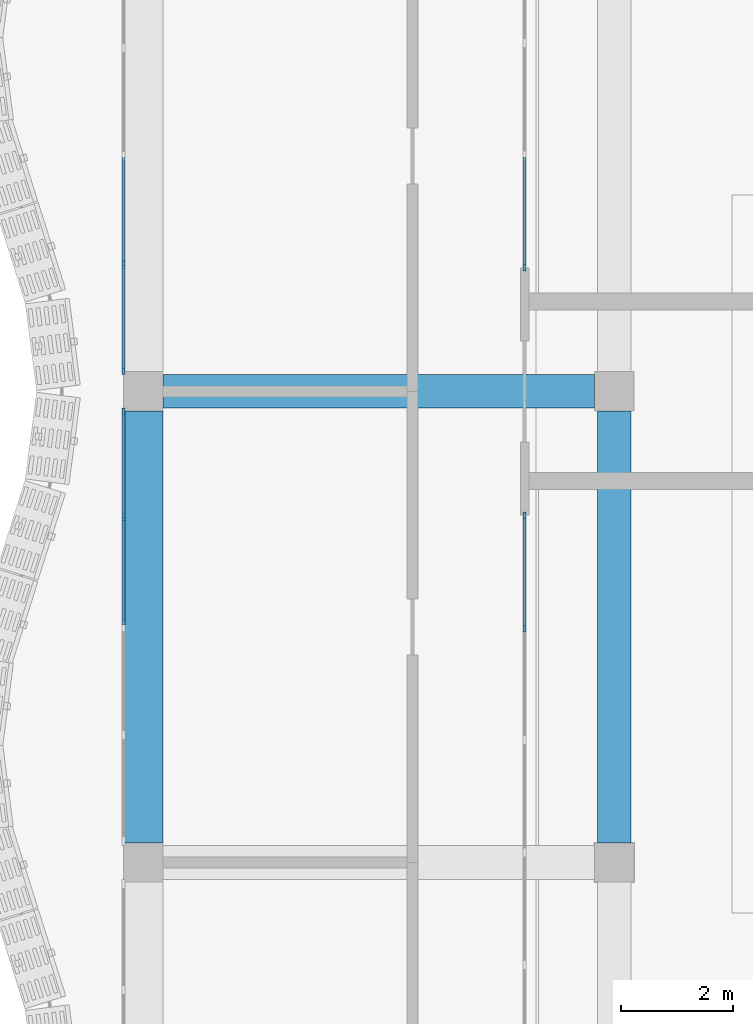
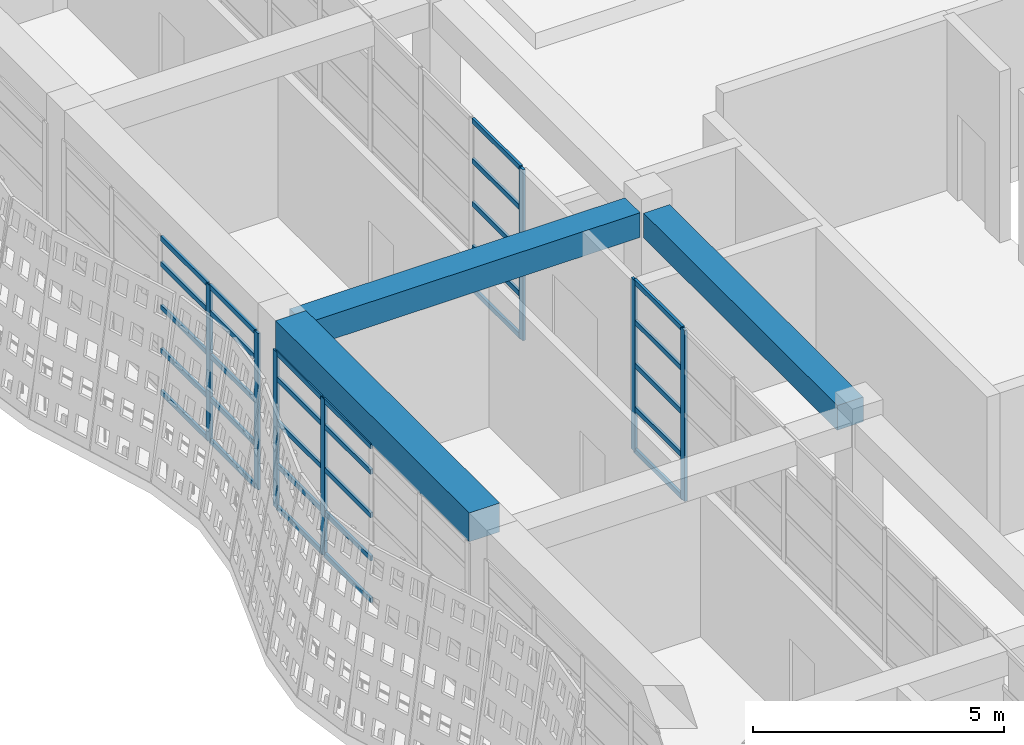
# One storey, part 5 of 85: 37 members, 3 beams, 4 elements without a shape of their own.
"""IFC4 building model written with IfcOpenShell, lengths in metres."""

from ifc_helpers import new_model, si_unit, direction, frame, origin, origin_2d, place, context, subcontext, project, spatial, rectangle, extrude, material, material_profile, profile_set, type_object, element, aggregate, save


model = new_model("IFC4")

# Units and contexts
model_context = context("Model", 3, precision=1e-05, world=origin(), true_north=direction((0.0, 1.0)))
body_context = subcontext(model_context, "Body", "Model", "MODEL_VIEW")
ifc_project = project(units=[si_unit("LENGTHUNIT", "METRE"), si_unit("AREAUNIT", "SQUARE_METRE"), si_unit("VOLUMEUNIT", "CUBIC_METRE"), si_unit("PLANEANGLEUNIT", "RADIAN"), si_unit("MASSUNIT", "GRAM", prefix="KILO")], contexts=[model_context])

# Site, building, storey
site_placement = place(None, origin())
site = spatial("IfcSite", under=ifc_project, at=site_placement, CompositionType="ELEMENT")
building_placement = place(site_placement, origin())
building = spatial("IfcBuilding", under=site, at=building_placement, Name="Rain Tree Exposition and Congress Centre", CompositionType="ELEMENT")
storey_placement = place(building_placement, frame((0.0, 0.0, 15.0)))
storey = spatial("IfcBuildingStorey", under=building, at=storey_placement, Name="L03", CompositionType="ELEMENT", Elevation=15.0)

# Beams
ifc_material_1 = material(Name="Precast concrete C50/60", Category="concrete")
ifc_material_profile_1 = material_profile(ifc_material_1, rectangle(XDim=0.60009765625, YDim=0.60009765625, at=origin_2d()), Name="RC 600x600")
ifc_profile_set_1 = profile_set([ifc_material_profile_1], Name="Precast concrete C50/60")
beam_type_1 = type_object("IfcBeamType", Name="Precast beam 600x600", PredefinedType="BEAM", material=ifc_profile_set_1)
beam_1_placement = place(storey_placement, frame((8.39990234375, 17.14990234375, 3.85009765625), z_axis=(0.0, 1.0, 0.0), x_axis=(-1.0, 0.0, 0.0)))
element("IfcBeam", 1, at=beam_1_placement, inside=storey, type_object=beam_type_1, Name="wing/beam/L03/RF/018", PredefinedType="BEAM", context=body_context, shape_type="SweptSolid", body=[
    extrude(rectangle(XDim=0.60009765625, YDim=0.60009765625, at=origin_2d()), origin(), (0.0, 0.0, 1.0), 7.7001953125),
])
beam_2_placement = place(storey_placement, frame((0.35009765625, 25.199951171875, 3.85009765625), z_axis=(1.0, 0.0, 0.0), x_axis=(0.0, 1.0, 0.0)))
element("IfcBeam", 2, at=beam_2_placement, inside=storey, type_object=beam_type_1, Name="wing/beam/L03/RF/033", PredefinedType="BEAM", context=body_context, shape_type="SweptSolid", body=[
    extrude(rectangle(XDim=0.60009765625, YDim=0.60009765625, at=origin_2d()), origin(), (0.0, 0.0, 1.0), 7.699951171875),
])
ifc_material_2 = material(Name="Precast concrete C50/60", Category="concrete")
ifc_material_profile_2 = material_profile(ifc_material_2, rectangle(XDim=0.699951171875, YDim=0.699951171875, at=origin_2d()), Name="RC 700x700")
ifc_profile_set_2 = profile_set([ifc_material_profile_2], Name="Precast concrete C50/60")
beam_type_2 = type_object("IfcBeamType", Name="Precast spandrel beam 700x700", PredefinedType="SPANDREL", material=ifc_profile_set_2)
beam_3_placement = place(storey_placement, frame((0.0, 17.14990234375, 4.14990234375), z_axis=(0.0, 1.0, 0.0), x_axis=(-1.0, 0.0, 0.0)))
element("IfcBeam", 3, at=beam_3_placement, inside=storey, type_object=beam_type_2, Name="wing/beam/L03/RF/006", PredefinedType="SPANDREL", context=body_context, shape_type="SweptSolid", body=[
    extrude(rectangle(XDim=0.699951171875, YDim=0.699951171875, at=origin_2d()), origin(), (0.0, 0.0, 1.0), 7.7001953125),
])

# Curtain wall, members
ifc_material_3 = material(Name="Aluminium curtain wall", Category="aluminium")
curtain_wall_type = type_object("IfcCurtainWallType", Name="Wing curtain wall 1925", PredefinedType="NOTDEFINED", material=ifc_material_3)
curtain_wall_1_placement = place(storey_placement, origin())
curtain_wall_1 = element("IfcCurtainWall", 4, at=curtain_wall_1_placement, inside=storey, type_object=curtain_wall_type, Name="Curtain wall CWW409", PredefinedType="NOTDEFINED")
ifc_material_4 = material(Name="Aluminium", Category="aluminium")
ifc_material_profile_3 = material_profile(ifc_material_4, rectangle(XDim=0.06005859375, YDim=0.159912109375, at=origin_2d()), Name="Aluminium 60x160")
ifc_profile_set_3 = profile_set([ifc_material_profile_3], Name="Aluminium")
member_type_1 = type_object("IfcMemberType", Name="Wing mullion 60x160", PredefinedType="MULLION", material=ifc_profile_set_3)
member_1_placement = place(storey_placement, frame((-0.35009765625, 22.925048828125, 0.0), z_axis=(0.0, 0.0, 1.0), x_axis=(-1.0, 0.0, 0.0)))
member_1 = element("IfcMember", 5, at=member_1_placement, type_object=member_type_1, Name="CWW409 mullion 4", PredefinedType="MULLION", context=body_context, shape_type="SweptSolid", body=[
    extrude(rectangle(XDim=0.06005859375, YDim=0.159912109375, at=origin_2d()), origin(), (0.0, 0.0, 1.0), 3.800048828125),
])
member_2_placement = place(storey_placement, frame((-0.35009765625, 24.820068359375, 0.0), z_axis=(0.0, 0.0, 1.0), x_axis=(-1.0, 0.0, 0.0)))
member_2 = element("IfcMember", 6, at=member_2_placement, type_object=member_type_1, Name="CWW409 mullion 5", PredefinedType="MULLION", context=body_context, shape_type="SweptSolid", body=[
    extrude(rectangle(XDim=0.06005859375, YDim=0.159912109375, at=origin_2d()), origin(), (0.0, 0.0, 1.0), 3.800048828125),
])

curtain_wall_2_placement = place(storey_placement, origin())
curtain_wall_2 = element("IfcCurtainWall", 7, at=curtain_wall_2_placement, inside=storey, type_object=curtain_wall_type, Name="Curtain wall CWW410", PredefinedType="NOTDEFINED")
member_3_placement = place(storey_placement, frame((-0.35009765625, 25.580078125, 0.0), z_axis=(0.0, 0.0, 1.0), x_axis=(-1.0, 0.0, 0.0)))
member_3 = element("IfcMember", 8, at=member_3_placement, type_object=member_type_1, Name="CWW410 mullion 1", PredefinedType="MULLION", context=body_context, shape_type="SweptSolid", body=[
    extrude(rectangle(XDim=0.06005859375, YDim=0.159912109375, at=origin_2d()), origin(), (0.0, 0.0, 1.0), 3.800048828125),
])
member_4_placement = place(storey_placement, frame((-0.35009765625, 27.47509765625, 0.0), z_axis=(0.0, 0.0, 1.0), x_axis=(-1.0, 0.0, 0.0)))
member_4 = element("IfcMember", 9, at=member_4_placement, type_object=member_type_1, Name="CWW410 mullion 2", PredefinedType="MULLION", context=body_context, shape_type="SweptSolid", body=[
    extrude(rectangle(XDim=0.06005859375, YDim=0.159912109375, at=origin_2d()), origin(), (0.0, 0.0, 1.0), 3.800048828125),
])

curtain_wall_3_placement = place(storey_placement, origin())
curtain_wall_3 = element("IfcCurtainWall", 10, at=curtain_wall_3_placement, inside=storey, type_object=curtain_wall_type, Name="Curtain wall CWW505", PredefinedType="NOTDEFINED")
member_5_placement = place(storey_placement, frame((6.800048828125, 20.99365234375, 0.0), z_axis=(0.0, 0.0, 1.0), x_axis=(-1.0, 0.0, 0.0)))
member_5 = element("IfcMember", 11, at=member_5_placement, type_object=member_type_1, Name="CWW505 mullion 8", PredefinedType="MULLION", context=body_context, shape_type="SweptSolid", body=[
    extrude(rectangle(XDim=0.06005859375, YDim=0.159912109375, at=origin_2d()), origin(), (0.0, 0.0, 1.0), 4.14990234375),
])
member_6_placement = place(storey_placement, frame((6.800048828125, 22.969970703125, 0.0), z_axis=(0.0, 0.0, 1.0), x_axis=(-1.0, 0.0, 0.0)))
member_6 = element("IfcMember", 12, at=member_6_placement, type_object=member_type_1, Name="CWW505 mullion 9", PredefinedType="MULLION", context=body_context, shape_type="SweptSolid", body=[
    extrude(rectangle(XDim=0.06005859375, YDim=0.159912109375, at=origin_2d()), origin(), (0.0, 0.0, 1.0), 4.14990234375),
])

# Curtain wall, member
curtain_wall_4_placement = place(storey_placement, origin())
curtain_wall_4 = element("IfcCurtainWall", 13, at=curtain_wall_4_placement, inside=storey, type_object=curtain_wall_type, Name="Curtain wall CWW506", PredefinedType="NOTDEFINED")
member_7_placement = place(storey_placement, frame((6.800048828125, 27.429931640625, 0.0), z_axis=(0.0, 0.0, 1.0), x_axis=(-1.0, 0.0, 0.0)))
member_7 = element("IfcMember", 14, at=member_7_placement, type_object=member_type_1, Name="CWW506 mullion 1", PredefinedType="MULLION", context=body_context, shape_type="SweptSolid", body=[
    extrude(rectangle(XDim=0.06005859375, YDim=0.159912109375, at=origin_2d()), origin(), (0.0, 0.0, 1.0), 4.14990234375),
])

# Member
ifc_material_5 = material(Name="Aluminium", Category="aluminium")
ifc_material_profile_4 = material_profile(ifc_material_5, rectangle(XDim=0.06005859375, YDim=0.1201171875, at=origin_2d()), Name="Aluminium 60x120")
ifc_profile_set_4 = profile_set([ifc_material_profile_4], Name="Aluminium")
member_type_2 = type_object("IfcMemberType", Name="Wing transom 60x120", PredefinedType="USERDEFINED", material=ifc_profile_set_4)
member_8_placement = place(storey_placement, frame((-0.35009765625, 21.030029296875, 0.030029296875), z_axis=(0.0, 1.0, 0.0), x_axis=(-1.0, 0.0, 0.0)))
member_8 = element("IfcMember", 15, at=member_8_placement, type_object=member_type_2, Name="CWW409 transom 3.1", ObjectType="TRANSOM", PredefinedType="USERDEFINED", context=body_context, shape_type="SweptSolid", body=[
    extrude(rectangle(XDim=0.06005859375, YDim=0.1201171875, at=origin_2d()), origin(), (0.0, 0.0, 1.0), 1.864990234375),
])

member_9_placement = place(storey_placement, frame((-0.35009765625, 21.030029296875, 1.050048828125), z_axis=(0.0, 1.0, 0.0), x_axis=(-1.0, 0.0, 0.0)))
member_9 = element("IfcMember", 16, at=member_9_placement, type_object=member_type_2, Name="CWW409 transom 3.2", ObjectType="TRANSOM", PredefinedType="USERDEFINED", context=body_context, shape_type="SweptSolid", body=[
    extrude(rectangle(XDim=0.06005859375, YDim=0.1201171875, at=origin_2d()), origin(), (0.0, 0.0, 1.0), 1.864990234375),
])

member_10_placement = place(storey_placement, frame((-0.35009765625, 21.030029296875, 2.10009765625), z_axis=(0.0, 1.0, 0.0), x_axis=(-1.0, 0.0, 0.0)))
member_10 = element("IfcMember", 17, at=member_10_placement, type_object=member_type_2, Name="CWW409 transom 3.3", ObjectType="TRANSOM", PredefinedType="USERDEFINED", context=body_context, shape_type="SweptSolid", body=[
    extrude(rectangle(XDim=0.06005859375, YDim=0.1201171875, at=origin_2d()), origin(), (0.0, 0.0, 1.0), 1.864990234375),
])

member_11_placement = place(storey_placement, frame((-0.35009765625, 21.030029296875, 3.14990234375), z_axis=(0.0, 1.0, 0.0), x_axis=(-1.0, 0.0, 0.0)))
member_11 = element("IfcMember", 18, at=member_11_placement, type_object=member_type_2, Name="CWW409 transom 3.4", ObjectType="TRANSOM", PredefinedType="USERDEFINED", context=body_context, shape_type="SweptSolid", body=[
    extrude(rectangle(XDim=0.06005859375, YDim=0.1201171875, at=origin_2d()), origin(), (0.0, 0.0, 1.0), 1.864990234375),
])

member_12_placement = place(storey_placement, frame((-0.35009765625, 21.030029296875, 3.77001953125), z_axis=(0.0, 1.0, 0.0), x_axis=(-1.0, 0.0, 0.0)))
member_12 = element("IfcMember", 19, at=member_12_placement, type_object=member_type_2, Name="CWW409 transom 3.5", ObjectType="TRANSOM", PredefinedType="USERDEFINED", context=body_context, shape_type="SweptSolid", body=[
    extrude(rectangle(XDim=0.06005859375, YDim=0.1201171875, at=origin_2d()), origin(), (0.0, 0.0, 1.0), 1.864990234375),
])

member_13_placement = place(storey_placement, frame((-0.35009765625, 22.955078125, 0.030029296875), z_axis=(0.0, 1.0, 0.0), x_axis=(-1.0, 0.0, 0.0)))
member_13 = element("IfcMember", 20, at=member_13_placement, type_object=member_type_2, Name="CWW409 transom 4.1", ObjectType="TRANSOM", PredefinedType="USERDEFINED", context=body_context, shape_type="SweptSolid", body=[
    extrude(rectangle(XDim=0.06005859375, YDim=0.1201171875, at=origin_2d()), origin(), (0.0, 0.0, 1.0), 1.8349609375),
])

member_14_placement = place(storey_placement, frame((-0.35009765625, 22.955078125, 1.050048828125), z_axis=(0.0, 1.0, 0.0), x_axis=(-1.0, 0.0, 0.0)))
member_14 = element("IfcMember", 21, at=member_14_placement, type_object=member_type_2, Name="CWW409 transom 4.2", ObjectType="TRANSOM", PredefinedType="USERDEFINED", context=body_context, shape_type="SweptSolid", body=[
    extrude(rectangle(XDim=0.06005859375, YDim=0.1201171875, at=origin_2d()), origin(), (0.0, 0.0, 1.0), 1.8349609375),
])

member_15_placement = place(storey_placement, frame((-0.35009765625, 22.955078125, 2.10009765625), z_axis=(0.0, 1.0, 0.0), x_axis=(-1.0, 0.0, 0.0)))
member_15 = element("IfcMember", 22, at=member_15_placement, type_object=member_type_2, Name="CWW409 transom 4.3", ObjectType="TRANSOM", PredefinedType="USERDEFINED", context=body_context, shape_type="SweptSolid", body=[
    extrude(rectangle(XDim=0.06005859375, YDim=0.1201171875, at=origin_2d()), origin(), (0.0, 0.0, 1.0), 1.8349609375),
])

member_16_placement = place(storey_placement, frame((-0.35009765625, 22.955078125, 3.14990234375), z_axis=(0.0, 1.0, 0.0), x_axis=(-1.0, 0.0, 0.0)))
member_16 = element("IfcMember", 23, at=member_16_placement, type_object=member_type_2, Name="CWW409 transom 4.4", ObjectType="TRANSOM", PredefinedType="USERDEFINED", context=body_context, shape_type="SweptSolid", body=[
    extrude(rectangle(XDim=0.06005859375, YDim=0.1201171875, at=origin_2d()), origin(), (0.0, 0.0, 1.0), 1.8349609375),
])

member_17_placement = place(storey_placement, frame((-0.35009765625, 22.955078125, 3.77001953125), z_axis=(0.0, 1.0, 0.0), x_axis=(-1.0, 0.0, 0.0)))
member_17 = element("IfcMember", 24, at=member_17_placement, type_object=member_type_2, Name="CWW409 transom 4.5", ObjectType="TRANSOM", PredefinedType="USERDEFINED", context=body_context, shape_type="SweptSolid", body=[
    extrude(rectangle(XDim=0.06005859375, YDim=0.1201171875, at=origin_2d()), origin(), (0.0, 0.0, 1.0), 1.8349609375),
])

aggregate(curtain_wall_1, [member_1, member_2, member_8, member_9, member_10, member_11, member_12, member_13, member_14, member_15, member_16, member_17])

member_18_placement = place(storey_placement, frame((-0.35009765625, 25.610107421875, 0.030029296875), z_axis=(0.0, 1.0, 0.0), x_axis=(-1.0, 0.0, 0.0)))
member_18 = element("IfcMember", 25, at=member_18_placement, type_object=member_type_2, Name="CWW410 transom 1.1", ObjectType="TRANSOM", PredefinedType="USERDEFINED", context=body_context, shape_type="SweptSolid", body=[
    extrude(rectangle(XDim=0.06005859375, YDim=0.1201171875, at=origin_2d()), origin(), (0.0, 0.0, 1.0), 1.8349609375),
])

member_19_placement = place(storey_placement, frame((-0.35009765625, 25.610107421875, 1.050048828125), z_axis=(0.0, 1.0, 0.0), x_axis=(-1.0, 0.0, 0.0)))
member_19 = element("IfcMember", 26, at=member_19_placement, type_object=member_type_2, Name="CWW410 transom 1.2", ObjectType="TRANSOM", PredefinedType="USERDEFINED", context=body_context, shape_type="SweptSolid", body=[
    extrude(rectangle(XDim=0.06005859375, YDim=0.1201171875, at=origin_2d()), origin(), (0.0, 0.0, 1.0), 1.8349609375),
])

member_20_placement = place(storey_placement, frame((-0.35009765625, 25.610107421875, 2.10009765625), z_axis=(0.0, 1.0, 0.0), x_axis=(-1.0, 0.0, 0.0)))
member_20 = element("IfcMember", 27, at=member_20_placement, type_object=member_type_2, Name="CWW410 transom 1.3", ObjectType="TRANSOM", PredefinedType="USERDEFINED", context=body_context, shape_type="SweptSolid", body=[
    extrude(rectangle(XDim=0.06005859375, YDim=0.1201171875, at=origin_2d()), origin(), (0.0, 0.0, 1.0), 1.8349609375),
])

member_21_placement = place(storey_placement, frame((-0.35009765625, 25.610107421875, 3.14990234375), z_axis=(0.0, 1.0, 0.0), x_axis=(-1.0, 0.0, 0.0)))
member_21 = element("IfcMember", 28, at=member_21_placement, type_object=member_type_2, Name="CWW410 transom 1.4", ObjectType="TRANSOM", PredefinedType="USERDEFINED", context=body_context, shape_type="SweptSolid", body=[
    extrude(rectangle(XDim=0.06005859375, YDim=0.1201171875, at=origin_2d()), origin(), (0.0, 0.0, 1.0), 1.8349609375),
])

member_22_placement = place(storey_placement, frame((-0.35009765625, 25.610107421875, 3.77001953125), z_axis=(0.0, 1.0, 0.0), x_axis=(-1.0, 0.0, 0.0)))
member_22 = element("IfcMember", 29, at=member_22_placement, type_object=member_type_2, Name="CWW410 transom 1.5", ObjectType="TRANSOM", PredefinedType="USERDEFINED", context=body_context, shape_type="SweptSolid", body=[
    extrude(rectangle(XDim=0.06005859375, YDim=0.1201171875, at=origin_2d()), origin(), (0.0, 0.0, 1.0), 1.8349609375),
])

member_23_placement = place(storey_placement, frame((-0.35009765625, 27.5048828125, 0.030029296875), z_axis=(0.0, 1.0, 0.0), x_axis=(-1.0, 0.0, 0.0)))
member_23 = element("IfcMember", 30, at=member_23_placement, type_object=member_type_2, Name="CWW410 transom 2.1", ObjectType="TRANSOM", PredefinedType="USERDEFINED", context=body_context, shape_type="SweptSolid", body=[
    extrude(rectangle(XDim=0.06005859375, YDim=0.1201171875, at=origin_2d()), origin(), (0.0, 0.0, 1.0), 1.865234375),
])

member_24_placement = place(storey_placement, frame((-0.35009765625, 27.5048828125, 1.050048828125), z_axis=(0.0, 1.0, 0.0), x_axis=(-1.0, 0.0, 0.0)))
member_24 = element("IfcMember", 31, at=member_24_placement, type_object=member_type_2, Name="CWW410 transom 2.2", ObjectType="TRANSOM", PredefinedType="USERDEFINED", context=body_context, shape_type="SweptSolid", body=[
    extrude(rectangle(XDim=0.06005859375, YDim=0.1201171875, at=origin_2d()), origin(), (0.0, 0.0, 1.0), 1.865234375),
])

member_25_placement = place(storey_placement, frame((-0.35009765625, 27.5048828125, 2.10009765625), z_axis=(0.0, 1.0, 0.0), x_axis=(-1.0, 0.0, 0.0)))
member_25 = element("IfcMember", 32, at=member_25_placement, type_object=member_type_2, Name="CWW410 transom 2.3", ObjectType="TRANSOM", PredefinedType="USERDEFINED", context=body_context, shape_type="SweptSolid", body=[
    extrude(rectangle(XDim=0.06005859375, YDim=0.1201171875, at=origin_2d()), origin(), (0.0, 0.0, 1.0), 1.865234375),
])

member_26_placement = place(storey_placement, frame((-0.35009765625, 27.5048828125, 3.14990234375), z_axis=(0.0, 1.0, 0.0), x_axis=(-1.0, 0.0, 0.0)))
member_26 = element("IfcMember", 33, at=member_26_placement, type_object=member_type_2, Name="CWW410 transom 2.4", ObjectType="TRANSOM", PredefinedType="USERDEFINED", context=body_context, shape_type="SweptSolid", body=[
    extrude(rectangle(XDim=0.06005859375, YDim=0.1201171875, at=origin_2d()), origin(), (0.0, 0.0, 1.0), 1.865234375),
])

member_27_placement = place(storey_placement, frame((-0.35009765625, 27.5048828125, 3.77001953125), z_axis=(0.0, 1.0, 0.0), x_axis=(-1.0, 0.0, 0.0)))
member_27 = element("IfcMember", 34, at=member_27_placement, type_object=member_type_2, Name="CWW410 transom 2.5", ObjectType="TRANSOM", PredefinedType="USERDEFINED", context=body_context, shape_type="SweptSolid", body=[
    extrude(rectangle(XDim=0.06005859375, YDim=0.1201171875, at=origin_2d()), origin(), (0.0, 0.0, 1.0), 1.865234375),
])

aggregate(curtain_wall_2, [member_3, member_4, member_18, member_19, member_20, member_21, member_22, member_23, member_24, member_25, member_26, member_27])

member_28_placement = place(storey_placement, frame((6.800048828125, 21.023681640625, 0.030029296875), z_axis=(0.0, 1.0, 0.0), x_axis=(-1.0, 0.0, 0.0)))
member_28 = element("IfcMember", 35, at=member_28_placement, type_object=member_type_2, Name="CWW505 transom 8.1", ObjectType="TRANSOM", PredefinedType="USERDEFINED", context=body_context, shape_type="SweptSolid", body=[
    extrude(rectangle(XDim=0.06005859375, YDim=0.1201171875, at=origin_2d()), origin(), (0.0, 0.0, 1.0), 1.916259765625),
])

member_29_placement = place(storey_placement, frame((6.800048828125, 21.023681640625, 1.050048828125), z_axis=(0.0, 1.0, 0.0), x_axis=(-1.0, 0.0, 0.0)))
member_29 = element("IfcMember", 36, at=member_29_placement, type_object=member_type_2, Name="CWW505 transom 8.2", ObjectType="TRANSOM", PredefinedType="USERDEFINED", context=body_context, shape_type="SweptSolid", body=[
    extrude(rectangle(XDim=0.06005859375, YDim=0.1201171875, at=origin_2d()), origin(), (0.0, 0.0, 1.0), 1.916259765625),
])

member_30_placement = place(storey_placement, frame((6.800048828125, 21.023681640625, 2.10009765625), z_axis=(0.0, 1.0, 0.0), x_axis=(-1.0, 0.0, 0.0)))
member_30 = element("IfcMember", 37, at=member_30_placement, type_object=member_type_2, Name="CWW505 transom 8.3", ObjectType="TRANSOM", PredefinedType="USERDEFINED", context=body_context, shape_type="SweptSolid", body=[
    extrude(rectangle(XDim=0.06005859375, YDim=0.1201171875, at=origin_2d()), origin(), (0.0, 0.0, 1.0), 1.916259765625),
])

member_31_placement = place(storey_placement, frame((6.800048828125, 21.023681640625, 3.14990234375), z_axis=(0.0, 1.0, 0.0), x_axis=(-1.0, 0.0, 0.0)))
member_31 = element("IfcMember", 38, at=member_31_placement, type_object=member_type_2, Name="CWW505 transom 8.4", ObjectType="TRANSOM", PredefinedType="USERDEFINED", context=body_context, shape_type="SweptSolid", body=[
    extrude(rectangle(XDim=0.06005859375, YDim=0.1201171875, at=origin_2d()), origin(), (0.0, 0.0, 1.0), 1.916259765625),
])

member_32_placement = place(storey_placement, frame((6.800048828125, 21.023681640625, 4.1201171875), z_axis=(0.0, 1.0, 0.0), x_axis=(-1.0, 0.0, 0.0)))
member_32 = element("IfcMember", 39, at=member_32_placement, type_object=member_type_2, Name="CWW505 transom 8.5", ObjectType="TRANSOM", PredefinedType="USERDEFINED", context=body_context, shape_type="SweptSolid", body=[
    extrude(rectangle(XDim=0.06005859375, YDim=0.1201171875, at=origin_2d()), origin(), (0.0, 0.0, 1.0), 1.916259765625),
])

aggregate(curtain_wall_3, [member_5, member_6, member_28, member_29, member_30, member_31, member_32])

member_33_placement = place(storey_placement, frame((6.800048828125, 27.4599609375, 0.030029296875), z_axis=(0.0, 1.0, 0.0), x_axis=(-1.0, 0.0, 0.0)))
member_33 = element("IfcMember", 40, at=member_33_placement, type_object=member_type_2, Name="CWW506 transom 1.1", ObjectType="TRANSOM", PredefinedType="USERDEFINED", context=body_context, shape_type="SweptSolid", body=[
    extrude(rectangle(XDim=0.06005859375, YDim=0.1201171875, at=origin_2d()), origin(), (0.0, 0.0, 1.0), 1.916259765625),
])

member_34_placement = place(storey_placement, frame((6.800048828125, 27.4599609375, 1.050048828125), z_axis=(0.0, 1.0, 0.0), x_axis=(-1.0, 0.0, 0.0)))
member_34 = element("IfcMember", 41, at=member_34_placement, type_object=member_type_2, Name="CWW506 transom 1.2", ObjectType="TRANSOM", PredefinedType="USERDEFINED", context=body_context, shape_type="SweptSolid", body=[
    extrude(rectangle(XDim=0.06005859375, YDim=0.1201171875, at=origin_2d()), origin(), (0.0, 0.0, 1.0), 1.916259765625),
])

member_35_placement = place(storey_placement, frame((6.800048828125, 27.4599609375, 2.10009765625), z_axis=(0.0, 1.0, 0.0), x_axis=(-1.0, 0.0, 0.0)))
member_35 = element("IfcMember", 42, at=member_35_placement, type_object=member_type_2, Name="CWW506 transom 1.3", ObjectType="TRANSOM", PredefinedType="USERDEFINED", context=body_context, shape_type="SweptSolid", body=[
    extrude(rectangle(XDim=0.06005859375, YDim=0.1201171875, at=origin_2d()), origin(), (0.0, 0.0, 1.0), 1.916259765625),
])

member_36_placement = place(storey_placement, frame((6.800048828125, 27.4599609375, 3.14990234375), z_axis=(0.0, 1.0, 0.0), x_axis=(-1.0, 0.0, 0.0)))
member_36 = element("IfcMember", 43, at=member_36_placement, type_object=member_type_2, Name="CWW506 transom 1.4", ObjectType="TRANSOM", PredefinedType="USERDEFINED", context=body_context, shape_type="SweptSolid", body=[
    extrude(rectangle(XDim=0.06005859375, YDim=0.1201171875, at=origin_2d()), origin(), (0.0, 0.0, 1.0), 1.916259765625),
])

member_37_placement = place(storey_placement, frame((6.800048828125, 27.4599609375, 4.1201171875), z_axis=(0.0, 1.0, 0.0), x_axis=(-1.0, 0.0, 0.0)))
member_37 = element("IfcMember", 44, at=member_37_placement, type_object=member_type_2, Name="CWW506 transom 1.5", ObjectType="TRANSOM", PredefinedType="USERDEFINED", context=body_context, shape_type="SweptSolid", body=[
    extrude(rectangle(XDim=0.06005859375, YDim=0.1201171875, at=origin_2d()), origin(), (0.0, 0.0, 1.0), 1.916259765625),
])

aggregate(curtain_wall_4, [member_7, member_33, member_34, member_35, member_36, member_37])

save(model, "model.ifc")
